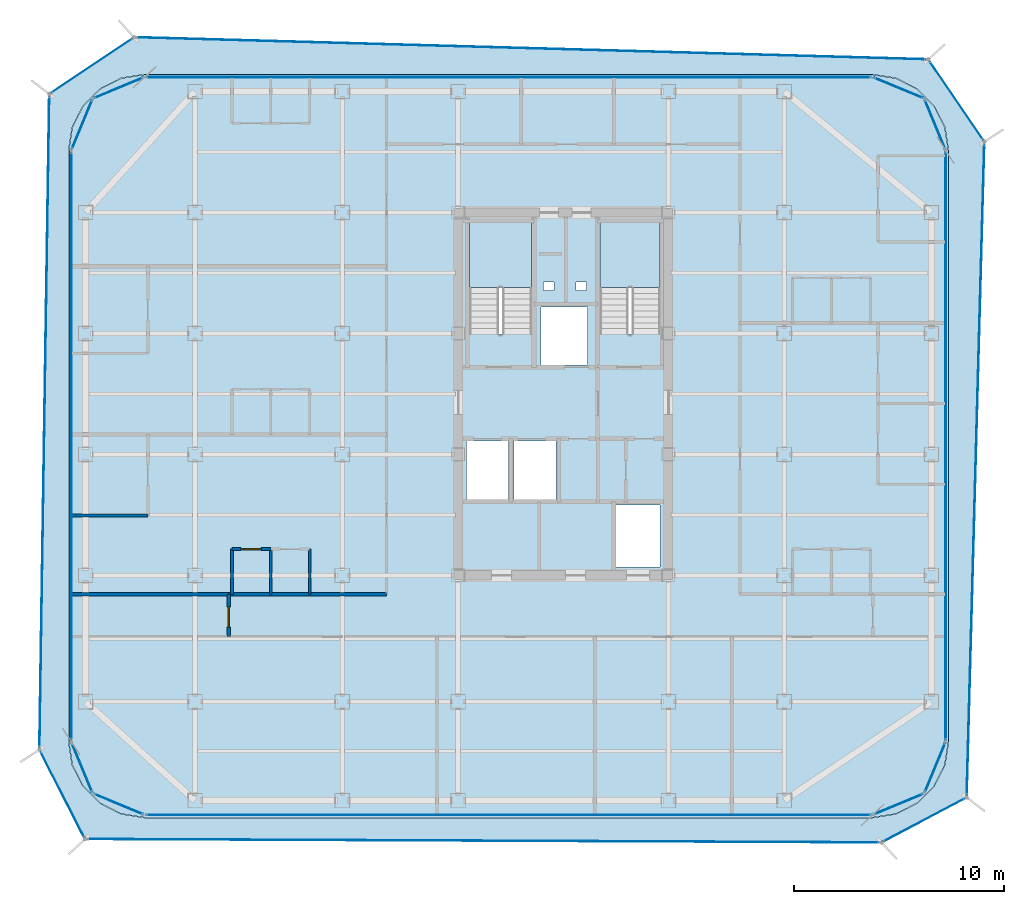
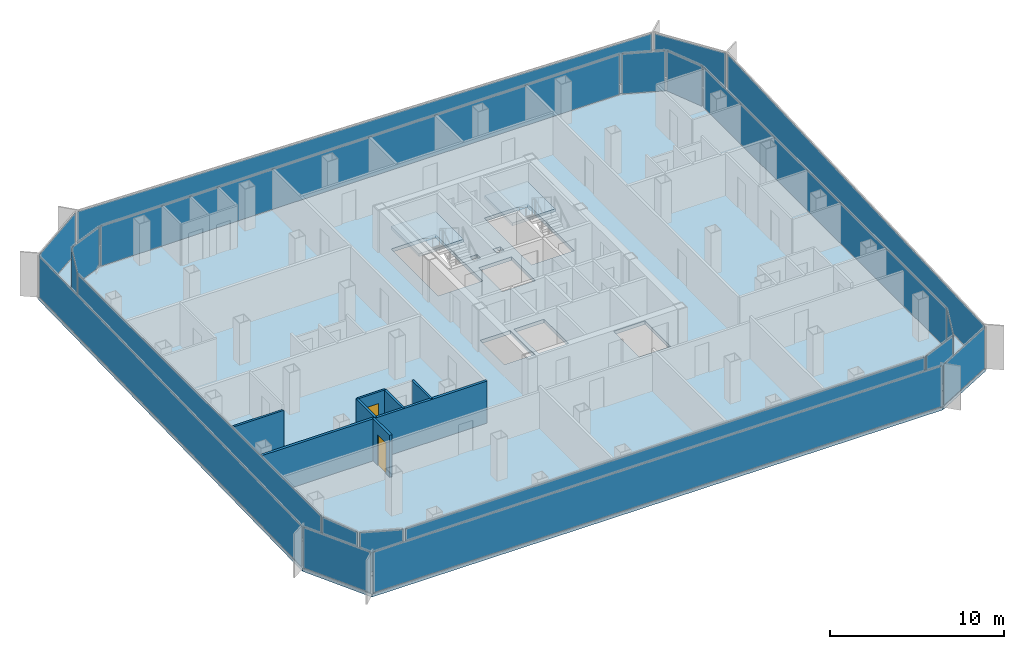
# One storey, part 9 of 15: 20 plates, 8 walls, 4 slabs, 2 doors, 2 openings, 22 elements without a shape of their own.
"""IFC4 building model written with IfcOpenShell, lengths in metres."""

from ifc_helpers import new_model, si_unit, direction, frame, frame_2d, origin, origin_2d, place, context, subcontext, project, spatial, polyline, rectangle, outline, extrude, source, transform, mapped, material, layer, layer_set, type_object, element, fill, aggregate, save


model = new_model("IFC4")

# Units and contexts
model_context = context("Model", 3, precision=1e-05, world=origin(), true_north=direction((0.0, 1.0)))
body_context = subcontext(model_context, "Body", "Model", "MODEL_VIEW")
ifc_project = project(units=[si_unit("LENGTHUNIT", "METRE"), si_unit("AREAUNIT", "SQUARE_METRE"), si_unit("VOLUMEUNIT", "CUBIC_METRE"), si_unit("PLANEANGLEUNIT", "RADIAN"), si_unit("MASSUNIT", "GRAM", prefix="KILO")], contexts=[model_context])

# Site, building, storey
site_placement = place(None, origin())
site = spatial("IfcSite", under=ifc_project, at=site_placement, CompositionType="ELEMENT")
building_placement = place(site_placement, origin())
building = spatial("IfcBuilding", under=site, at=building_placement, Name="Kolveth Station Tower", CompositionType="ELEMENT")
storey_placement = place(building_placement, frame((0.0, 0.0, 193.199951171875)))
storey = spatial("IfcBuildingStorey", under=building, at=storey_placement, Name="L54", CompositionType="ELEMENT", Elevation=193.199951171875)

# Slab
ifc_material_1 = material(Name="Concrete C40/50", Category="concrete")
ifc_layer_1 = layer(ifc_material_1, 0.25)
ifc_layer_set_1 = layer_set([ifc_layer_1], Name="Concrete C40/50")
slab_type_1 = type_object("IfcSlabType", Name="Slab_SF-250", PredefinedType="FLOOR", material=ifc_layer_set_1)
slab_1_placement = place(storey_placement, frame((0.0, 0.0, -0.25)))
element("IfcSlab", 1, at=slab_1_placement, inside=storey, type_object=slab_type_1, Name="L54 Tower Structural Floor Slab", PredefinedType="FLOOR", context=body_context, shape_type="SweptSolid", body=[
    extrude(outline(polyline([(38.199951171875, 0.0), (39.3125, 0.17626953125), (40.31591796875, 0.6875), (41.112548828125, 1.48388671875), (41.623779296875, 2.487548828125), (41.800048828125, 3.60009765625), (41.800048828125, 31.699951171875), (41.623779296875, 32.8125), (41.112548828125, 33.81591796875), (40.31591796875, 34.612548828125), (39.3125, 35.123779296875), (38.199951171875, 35.300048828125), (3.60009765625, 35.300048828125), (2.487548828125, 35.123779296875), (1.48388671875, 34.612548828125), (0.6875, 33.81591796875), (0.17626953125, 32.8125), (0.0, 31.699951171875), (0.0, 3.60009765625), (0.17626953125, 2.487548828125), (0.6875, 1.48388671875), (1.48388671875, 0.6875), (2.487548828125, 0.17626953125), (3.60009765625, 0.0), (38.199951171875, 0.0)]), holes=[polyline([(19.0400390625, 22.985107421875), (22.0, 22.985107421875), (22.0, 28.39990234375), (19.0400390625, 28.39990234375), (19.0400390625, 22.985107421875)]), polyline([(25.239990234375, 22.985107421875), (28.10009765625, 22.985107421875), (28.10009765625, 28.39990234375), (25.239990234375, 28.39990234375), (25.239990234375, 22.985107421875)]), polyline([(18.89990234375, 15.10009765625), (20.89990234375, 15.10009765625), (20.89990234375, 17.89990234375), (18.89990234375, 17.89990234375), (18.89990234375, 15.10009765625)]), polyline([(21.14990234375, 15.10009765625), (23.14990234375, 15.10009765625), (23.14990234375, 17.89990234375), (21.14990234375, 17.89990234375), (21.14990234375, 15.10009765625)]), polyline([(22.449951171875, 21.5), (24.64990234375, 21.5), (24.64990234375, 24.25), (22.449951171875, 24.25), (22.449951171875, 21.5)]), polyline([(26.0, 11.89990234375), (28.10009765625, 11.89990234375), (28.10009765625, 14.85009765625), (26.0, 14.85009765625), (26.0, 11.89990234375)]), polyline([(22.550048828125, 25.050048828125), (23.050048828125, 25.050048828125), (23.050048828125, 25.449951171875), (22.550048828125, 25.449951171875), (22.550048828125, 25.050048828125)]), polyline([(24.10009765625, 25.050048828125), (24.60009765625, 25.050048828125), (24.60009765625, 25.449951171875), (24.10009765625, 25.449951171875), (24.10009765625, 25.050048828125)])]), origin(), (0.0, 0.0, 1.0), 0.25),
])

# Stair, slab
stair_type_1 = type_object("IfcStairType", Name="Stair_ST2", PredefinedType="HALF_TURN_STAIR", material=ifc_material_1)
stair_1_placement = place(storey_placement, origin())
stair_1 = element("IfcStair", 2, at=stair_1_placement, inside=storey, type_object=stair_type_1, Name="L54 Tower Exit Stair ST2", PredefinedType="HALF_TURN_STAIR")
ifc_layer_2 = layer(ifc_material_1, 0.18994140625)
ifc_layer_set_2 = layer_set([ifc_layer_2], Name="Concrete C40/50")
slab_type_2 = type_object("IfcSlabType", Name="Slab_SL-190", PredefinedType="LANDING", material=ifc_layer_set_2)
slab_2_placement = place(storey_placement, frame((0.0, 0.0, 1.400146484375)))
slab_2 = element("IfcSlab", 3, at=slab_2_placement, type_object=slab_type_2, Name="ST2 landing 1", PredefinedType="LANDING", context=body_context, shape_type="SweptSolid", body=[
    extrude(outline(polyline([(28.10009765625, 25.18994140625), (28.10009765625, 28.39990234375), (25.239990234375, 28.39990234375), (25.239990234375, 25.18994140625), (28.10009765625, 25.18994140625)])), origin(), (0.0, 0.0, 1.0), 0.199951171875),
])
aggregate(stair_1, [slab_2])

stair_type_2 = type_object("IfcStairType", Name="Stair_ST1", PredefinedType="HALF_TURN_STAIR", material=ifc_material_1)
stair_2_placement = place(storey_placement, origin())
stair_2 = element("IfcStair", 4, at=stair_2_placement, inside=storey, type_object=stair_type_2, Name="L54 Tower Exit Stair ST1", PredefinedType="HALF_TURN_STAIR")
ifc_layer_3 = layer(ifc_material_1, 0.205078125)
ifc_layer_set_3 = layer_set([ifc_layer_3], Name="Concrete C40/50")
slab_type_3 = type_object("IfcSlabType", Name="Slab_SL-205", PredefinedType="LANDING", material=ifc_layer_set_3)
slab_3_placement = place(storey_placement, frame((0.0, 0.0, 1.400146484375)))
slab_3 = element("IfcSlab", 5, at=slab_3_placement, type_object=slab_type_3, Name="ST1 landing 1", PredefinedType="LANDING", context=body_context, shape_type="SweptSolid", body=[
    extrude(outline(polyline([(22.0, 25.18994140625), (22.0, 28.39990234375), (19.0400390625, 28.39990234375), (19.0400390625, 25.18994140625), (22.0, 25.18994140625)])), origin(), (0.0, 0.0, 1.0), 0.199951171875),
])
aggregate(stair_2, [slab_3])

# Slab
ifc_layer_4 = layer(ifc_material_1, 0.2099609375)
ifc_layer_set_4 = layer_set([ifc_layer_4], Name="Concrete C40/50")
slab_type_4 = type_object("IfcSlabType", Name="Slab_ST-210", PredefinedType="FLOOR", material=ifc_layer_set_4)
slab_4_placement = place(storey_placement, frame((0.0, 0.0, -0.2099609375)))
element("IfcSlab", 6, at=slab_4_placement, inside=storey, type_object=slab_type_4, Name="L54 Double-Skin Cavity Structural Ledger Ring", PredefinedType="FLOOR", context=body_context, shape_type="SweptSolid", body=[
    extrude(outline(polyline([(0.77490234375, -1.0283203125), (-1.3916015625, 3.221923828125), (-0.922607421875, 34.378662109375), (3.10595703125, 37.07568359375), (40.85205078125, 36.02490234375), (43.515625, 32.118408203125), (42.67529296875, 0.948486328125), (38.6220703125, -1.191162109375), (0.77490234375, -1.0283203125)]), holes=[polyline([(38.202392578125, -0.014892578125), (39.314697265625, 0.161376953125), (39.3193359375, 0.162841796875), (40.32275390625, 0.674072265625), (40.32666015625, 0.677001953125), (41.123046875, 1.473388671875), (41.1259765625, 1.477294921875), (41.63720703125, 2.480712890625), (41.638671875, 2.485107421875), (41.814697265625, 3.59765625), (41.81494140625, 3.60009765625), (41.81494140625, 31.699951171875), (41.814697265625, 31.702392578125), (41.638671875, 32.814697265625), (41.63720703125, 32.8193359375), (41.1259765625, 33.82275390625), (41.123046875, 33.82666015625), (40.32666015625, 34.623046875), (40.32275390625, 34.6259765625), (39.3193359375, 35.13720703125), (39.314697265625, 35.138671875), (38.202392578125, 35.314697265625), (38.199951171875, 35.31494140625), (3.60009765625, 35.31494140625), (3.59765625, 35.314697265625), (2.485107421875, 35.138671875), (2.480712890625, 35.13720703125), (1.477294921875, 34.6259765625), (1.473388671875, 34.623046875), (0.677001953125, 33.82666015625), (0.674072265625, 33.82275390625), (0.162841796875, 32.8193359375), (0.161376953125, 32.814697265625), (-0.014892578125, 31.702392578125), (-0.014892578125, 31.699951171875), (-0.014892578125, 3.60009765625), (-0.014892578125, 3.59765625), (0.161376953125, 2.485107421875), (0.162841796875, 2.480712890625), (0.674072265625, 1.477294921875), (0.677001953125, 1.473388671875), (1.473388671875, 0.677001953125), (1.477294921875, 0.674072265625), (2.480712890625, 0.162841796875), (2.485107421875, 0.161376953125), (3.59765625, -0.014892578125), (3.60009765625, -0.014892578125), (38.199951171875, -0.014892578125), (38.202392578125, -0.014892578125)])]), origin(), (0.0, 0.0, 1.0), 0.2099609375),
])

# Curtain wall, plate
ifc_material_2 = material(Name="Aluminium 6063-T6 and low-E dark glass", Category="aluminium")
ifc_layer_5 = layer(ifc_material_2, 0.18994140625)
ifc_layer_set_5 = layer_set([ifc_layer_5], Name="Aluminium 6063-T6 and low-E dark glass")
curtain_wall_type_1 = type_object("IfcCurtainWallType", Name="CurtainWall_CW-Z2", PredefinedType="NOTDEFINED", material=ifc_layer_set_5)
curtain_wall_1_placement = place(storey_placement, origin())
curtain_wall_1 = element("IfcCurtainWall", 7, at=curtain_wall_1_placement, inside=storey, type_object=curtain_wall_type_1, Name="L54 Inner Thermal Curtain Wall 1", PredefinedType="NOTDEFINED")
ifc_material_3 = material(Name="Architectural low-E dark glass", Category="glass")
ifc_layer_6 = layer(ifc_material_3, 0.0380859375)
ifc_layer_set_6 = layer_set([ifc_layer_6], Name="Architectural low-E dark glass")
plate_type_1 = type_object("IfcPlateType", Name="Panel_GL2", PredefinedType="CURTAIN_PANEL", material=ifc_layer_set_6)
shared_shape_1 = source(origin(), body_context, "Body", "SweptSolid", [
    extrude(rectangle(XDim=2.517578125, YDim=0.0380859375, at=origin_2d()), origin(), (0.0, 0.0, 1.0), 2.803955078125),
])
plate_1_placement = place(storey_placement, frame((39.430419921875, 0.629638671875, 0.0732421875), z_axis=(0.0, 0.0, 1.0), x_axis=(0.923873600544, 0.382697753087, 0.0)))
plate_1 = element("IfcPlate", 8, at=plate_1_placement, type_object=plate_type_1, Name="CW-Z2 panel 1.1", PredefinedType="CURTAIN_PANEL", context=body_context, shape_type="MappedRepresentation", body=[
    mapped(shared_shape_1, transform((0.0, 0.0, 0.0), x_axis=(1.0, 0.0, 0.0), y_axis=(0.0, 1.0, 0.0), z_axis=(0.0, 0.0, 1.0), scale=1.0)),
])
aggregate(curtain_wall_1, [plate_1])

curtain_wall_2_placement = place(storey_placement, origin())
curtain_wall_2 = element("IfcCurtainWall", 9, at=curtain_wall_2_placement, inside=storey, type_object=curtain_wall_type_1, Name="L54 Inner Thermal Curtain Wall 2", PredefinedType="NOTDEFINED")
plate_2_placement = place(storey_placement, frame((41.17041015625, 2.36962890625, 0.0732421875), z_axis=(0.0, 0.0, 1.0), x_axis=(0.382697753087, 0.923873600544, 0.0)))
plate_2 = element("IfcPlate", 10, at=plate_2_placement, type_object=plate_type_1, Name="CW-Z2 panel 1.1", PredefinedType="CURTAIN_PANEL", context=body_context, shape_type="MappedRepresentation", body=[
    mapped(shared_shape_1, transform((0.0, 0.0, 0.0), x_axis=(1.0, 0.0, 0.0), y_axis=(0.0, 1.0, 0.0), z_axis=(0.0, 0.0, 1.0), scale=1.0)),
])
aggregate(curtain_wall_2, [plate_2])

curtain_wall_3_placement = place(storey_placement, origin())
curtain_wall_3 = element("IfcCurtainWall", 11, at=curtain_wall_3_placement, inside=storey, type_object=curtain_wall_type_1, Name="L54 Inner Thermal Curtain Wall 4", PredefinedType="NOTDEFINED")
plate_3_placement = place(storey_placement, frame((41.17041015625, 32.930419921875, 0.0732421875), z_axis=(0.0, 0.0, 1.0), x_axis=(-0.382697753087, 0.923873600544, 0.0)))
plate_3 = element("IfcPlate", 12, at=plate_3_placement, type_object=plate_type_1, Name="CW-Z2 panel 1.1", PredefinedType="CURTAIN_PANEL", context=body_context, shape_type="MappedRepresentation", body=[
    mapped(shared_shape_1, transform((0.0, 0.0, 0.0), x_axis=(1.0, 0.0, 0.0), y_axis=(0.0, 1.0, 0.0), z_axis=(0.0, 0.0, 1.0), scale=1.0)),
])
aggregate(curtain_wall_3, [plate_3])

curtain_wall_4_placement = place(storey_placement, origin())
curtain_wall_4 = element("IfcCurtainWall", 13, at=curtain_wall_4_placement, inside=storey, type_object=curtain_wall_type_1, Name="L54 Inner Thermal Curtain Wall 5", PredefinedType="NOTDEFINED")
plate_4_placement = place(storey_placement, frame((39.430419921875, 34.67041015625, 0.0732421875), z_axis=(0.0, 0.0, 1.0), x_axis=(-0.923873600544, 0.382697753087, 0.0)))
plate_4 = element("IfcPlate", 14, at=plate_4_placement, type_object=plate_type_1, Name="CW-Z2 panel 1.1", PredefinedType="CURTAIN_PANEL", context=body_context, shape_type="MappedRepresentation", body=[
    mapped(shared_shape_1, transform((0.0, 0.0, 0.0), x_axis=(1.0, 0.0, 0.0), y_axis=(0.0, 1.0, 0.0), z_axis=(0.0, 0.0, 1.0), scale=1.0)),
])
aggregate(curtain_wall_4, [plate_4])

curtain_wall_5_placement = place(storey_placement, origin())
curtain_wall_5 = element("IfcCurtainWall", 15, at=curtain_wall_5_placement, inside=storey, type_object=curtain_wall_type_1, Name="L54 Inner Thermal Curtain Wall 7", PredefinedType="NOTDEFINED")
plate_5_placement = place(storey_placement, frame((2.36962890625, 34.67041015625, 0.0732421875), z_axis=(0.0, 0.0, 1.0), x_axis=(-0.923873600544, -0.382697753087, 0.0)))
plate_5 = element("IfcPlate", 16, at=plate_5_placement, type_object=plate_type_1, Name="CW-Z2 panel 1.1", PredefinedType="CURTAIN_PANEL", context=body_context, shape_type="MappedRepresentation", body=[
    mapped(shared_shape_1, transform((0.0, 0.0, 0.0), x_axis=(1.0, 0.0, 0.0), y_axis=(0.0, 1.0, 0.0), z_axis=(0.0, 0.0, 1.0), scale=1.0)),
])
aggregate(curtain_wall_5, [plate_5])

curtain_wall_6_placement = place(storey_placement, origin())
curtain_wall_6 = element("IfcCurtainWall", 17, at=curtain_wall_6_placement, inside=storey, type_object=curtain_wall_type_1, Name="L54 Inner Thermal Curtain Wall 8", PredefinedType="NOTDEFINED")
plate_6_placement = place(storey_placement, frame((0.629638671875, 32.930419921875, 0.0732421875), z_axis=(0.0, 0.0, 1.0), x_axis=(-0.382697753087, -0.923873600544, 0.0)))
plate_6 = element("IfcPlate", 18, at=plate_6_placement, type_object=plate_type_1, Name="CW-Z2 panel 1.1", PredefinedType="CURTAIN_PANEL", context=body_context, shape_type="MappedRepresentation", body=[
    mapped(shared_shape_1, transform((0.0, 0.0, 0.0), x_axis=(1.0, 0.0, 0.0), y_axis=(0.0, 1.0, 0.0), z_axis=(0.0, 0.0, 1.0), scale=1.0)),
])
aggregate(curtain_wall_6, [plate_6])

curtain_wall_7_placement = place(storey_placement, origin())
curtain_wall_7 = element("IfcCurtainWall", 19, at=curtain_wall_7_placement, inside=storey, type_object=curtain_wall_type_1, Name="L54 Inner Thermal Curtain Wall 10", PredefinedType="NOTDEFINED")
plate_7_placement = place(storey_placement, frame((0.629638671875, 2.36962890625, 0.0732421875), z_axis=(0.0, 0.0, 1.0), x_axis=(0.382697753087, -0.923873600544, 0.0)))
plate_7 = element("IfcPlate", 20, at=plate_7_placement, type_object=plate_type_1, Name="CW-Z2 panel 1.1", PredefinedType="CURTAIN_PANEL", context=body_context, shape_type="MappedRepresentation", body=[
    mapped(shared_shape_1, transform((0.0, 0.0, 0.0), x_axis=(1.0, 0.0, 0.0), y_axis=(0.0, 1.0, 0.0), z_axis=(0.0, 0.0, 1.0), scale=1.0)),
])
aggregate(curtain_wall_7, [plate_7])

curtain_wall_8_placement = place(storey_placement, origin())
curtain_wall_8 = element("IfcCurtainWall", 21, at=curtain_wall_8_placement, inside=storey, type_object=curtain_wall_type_1, Name="L54 Inner Thermal Curtain Wall 11", PredefinedType="NOTDEFINED")
plate_8_placement = place(storey_placement, frame((2.36962890625, 0.629638671875, 0.0732421875), z_axis=(0.0, 0.0, 1.0), x_axis=(0.923873600544, -0.382697753087, 0.0)))
plate_8 = element("IfcPlate", 22, at=plate_8_placement, type_object=plate_type_1, Name="CW-Z2 panel 1.1", PredefinedType="CURTAIN_PANEL", context=body_context, shape_type="MappedRepresentation", body=[
    mapped(shared_shape_1, transform((0.0, 0.0, 0.0), x_axis=(1.0, 0.0, 0.0), y_axis=(0.0, 1.0, 0.0), z_axis=(0.0, 0.0, 1.0), scale=1.0)),
])
aggregate(curtain_wall_8, [plate_8])

curtain_wall_9_placement = place(storey_placement, origin())
curtain_wall_9 = element("IfcCurtainWall", 23, at=curtain_wall_9_placement, inside=storey, type_object=curtain_wall_type_1, Name="L54 Inner Thermal Curtain Wall 3", PredefinedType="NOTDEFINED")
shared_shape_2 = source(origin(), body_context, "Body", "SweptSolid", [
    extrude(rectangle(XDim=27.9541015625, YDim=0.0380859375, at=origin_2d()), origin(), (0.0, 0.0, 1.0), 2.803955078125),
])
plate_9_placement = place(storey_placement, frame((41.679931640625, 17.64990234375, 0.0732421875), z_axis=(0.0, 0.0, 1.0), x_axis=(0.0, 1.0, 0.0)))
plate_9 = element("IfcPlate", 24, at=plate_9_placement, type_object=plate_type_1, Name="CW-Z2 panel 1.1", PredefinedType="CURTAIN_PANEL", context=body_context, shape_type="MappedRepresentation", body=[
    mapped(shared_shape_2, transform((0.0, 0.0, 0.0), x_axis=(1.0, 0.0, 0.0), y_axis=(0.0, 1.0, 0.0), z_axis=(0.0, 0.0, 1.0), scale=1.0)),
])
aggregate(curtain_wall_9, [plate_9])

curtain_wall_10_placement = place(storey_placement, origin())
curtain_wall_10 = element("IfcCurtainWall", 25, at=curtain_wall_10_placement, inside=storey, type_object=curtain_wall_type_1, Name="L54 Inner Thermal Curtain Wall 9", PredefinedType="NOTDEFINED")
plate_10_placement = place(storey_placement, frame((0.1201171875, 17.64990234375, 0.0732421875), z_axis=(0.0, 0.0, 1.0), x_axis=(0.0, -1.0, 0.0)))
plate_10 = element("IfcPlate", 26, at=plate_10_placement, type_object=plate_type_1, Name="CW-Z2 panel 1.1", PredefinedType="CURTAIN_PANEL", context=body_context, shape_type="MappedRepresentation", body=[
    mapped(shared_shape_2, transform((0.0, 0.0, 0.0), x_axis=(1.0, 0.0, 0.0), y_axis=(0.0, 1.0, 0.0), z_axis=(0.0, 0.0, 1.0), scale=1.0)),
])
aggregate(curtain_wall_10, [plate_10])

curtain_wall_11_placement = place(storey_placement, origin())
curtain_wall_11 = element("IfcCurtainWall", 27, at=curtain_wall_11_placement, inside=storey, type_object=curtain_wall_type_1, Name="L54 Inner Thermal Curtain Wall 6", PredefinedType="NOTDEFINED")
shared_shape_3 = source(origin(), body_context, "Body", "SweptSolid", [
    extrude(rectangle(XDim=34.4541015625, YDim=0.0380859375, at=origin_2d()), origin(), (0.0, 0.0, 1.0), 2.803955078125),
])
plate_11_placement = place(storey_placement, frame((20.89990234375, 35.179931640625, 0.0732421875), z_axis=(0.0, 0.0, 1.0), x_axis=(-1.0, 0.0, 0.0)))
plate_11 = element("IfcPlate", 28, at=plate_11_placement, type_object=plate_type_1, Name="CW-Z2 panel 1.1", PredefinedType="CURTAIN_PANEL", context=body_context, shape_type="MappedRepresentation", body=[
    mapped(shared_shape_3, transform((0.0, 0.0, 0.0), x_axis=(1.0, 0.0, 0.0), y_axis=(0.0, 1.0, 0.0), z_axis=(0.0, 0.0, 1.0), scale=1.0)),
])
aggregate(curtain_wall_11, [plate_11])

curtain_wall_12_placement = place(storey_placement, origin())
curtain_wall_12 = element("IfcCurtainWall", 29, at=curtain_wall_12_placement, inside=storey, type_object=curtain_wall_type_1, Name="L54 Inner Thermal Curtain Wall 12", PredefinedType="NOTDEFINED")
plate_12_placement = place(storey_placement, frame((20.89990234375, 0.1201171875, 0.0732421875), z_axis=(0.0, 0.0, 1.0), x_axis=(1.0, 0.0, 0.0)))
plate_12 = element("IfcPlate", 30, at=plate_12_placement, type_object=plate_type_1, Name="CW-Z2 panel 1.1", PredefinedType="CURTAIN_PANEL", context=body_context, shape_type="MappedRepresentation", body=[
    mapped(shared_shape_3, transform((0.0, 0.0, 0.0), x_axis=(1.0, 0.0, 0.0), y_axis=(0.0, 1.0, 0.0), z_axis=(0.0, 0.0, 1.0), scale=1.0)),
])
aggregate(curtain_wall_12, [plate_12])

ifc_material_4 = material(Name="Black anodized aluminium 6063-T6 and dark solar glass", Category="aluminium")
ifc_layer_7 = layer(ifc_material_4, 0.159912109375)
ifc_layer_set_7 = layer_set([ifc_layer_7], Name="Black anodized aluminium 6063-T6 and dark solar glass")
curtain_wall_type_2 = type_object("IfcCurtainWallType", Name="OUTER SKIN CW-OS", PredefinedType="NOTDEFINED", material=ifc_layer_set_7)
curtain_wall_13_placement = place(storey_placement, origin())
curtain_wall_13 = element("IfcCurtainWall", 31, at=curtain_wall_13_placement, inside=storey, type_object=curtain_wall_type_2, Name="L54 Outer Ventilated Skin Curtain Wall 1", PredefinedType="NOTDEFINED")
ifc_layer_8 = layer(ifc_material_3, 0.028076171875)
ifc_layer_set_8 = layer_set([ifc_layer_8], Name="Architectural low-E dark glass")
plate_type_2 = type_object("IfcPlateType", Name="Panel_GL-OS", PredefinedType="CURTAIN_PANEL", material=ifc_layer_set_8)
shared_shape_4 = source(origin(), body_context, "Body", "SweptSolid", [
    extrude(rectangle(XDim=4.41748046875, YDim=0.028076171875, at=origin_2d()), origin(), (0.0, 0.0, 1.0), 2.843994140625),
])
plate_13_placement = place(storey_placement, frame((40.648681640625, -0.121337890625, 0.0732421875), z_axis=(0.0, 0.0, 1.0), x_axis=(0.884366239208, 0.466793696347, 0.0)))
plate_13 = element("IfcPlate", 32, at=plate_13_placement, type_object=plate_type_2, Name="CW-OS panel 1.1", PredefinedType="CURTAIN_PANEL", context=body_context, shape_type="MappedRepresentation", body=[
    mapped(shared_shape_4, transform((0.0, 0.0, 0.0), x_axis=(1.0, 0.0, 0.0), y_axis=(0.0, 1.0, 0.0), z_axis=(0.0, 0.0, 1.0), scale=1.0)),
])
aggregate(curtain_wall_13, [plate_13])

curtain_wall_14_placement = place(storey_placement, origin())
curtain_wall_14 = element("IfcCurtainWall", 33, at=curtain_wall_14_placement, inside=storey, type_object=curtain_wall_type_2, Name="L54 Outer Ventilated Skin Curtain Wall 2", PredefinedType="NOTDEFINED")
shared_shape_5 = source(origin(), body_context, "Body", "SweptSolid", [
    extrude(rectangle(XDim=31.015380859375, YDim=0.028076171875, at=origin_2d()), origin(), (0.0, 0.0, 1.0), 2.843994140625),
])
plate_14_placement = place(storey_placement, frame((43.095458984375, 16.533447265625, 0.0732421875), z_axis=(0.0, 0.0, 1.0), x_axis=(0.026945531966, 0.999636903234, 0.0)))
plate_14 = element("IfcPlate", 34, at=plate_14_placement, type_object=plate_type_2, Name="CW-OS panel 1.1", PredefinedType="CURTAIN_PANEL", context=body_context, shape_type="MappedRepresentation", body=[
    mapped(shared_shape_5, transform((0.0, 0.0, 0.0), x_axis=(1.0, 0.0, 0.0), y_axis=(0.0, 1.0, 0.0), z_axis=(0.0, 0.0, 1.0), scale=1.0)),
])
aggregate(curtain_wall_14, [plate_14])

curtain_wall_15_placement = place(storey_placement, origin())
curtain_wall_15 = element("IfcCurtainWall", 35, at=curtain_wall_15_placement, inside=storey, type_object=curtain_wall_type_2, Name="L54 Outer Ventilated Skin Curtain Wall 3", PredefinedType="NOTDEFINED")
shared_shape_6 = source(origin(), body_context, "Body", "SweptSolid", [
    extrude(rectangle(XDim=4.56201171875, YDim=0.028076171875, at=origin_2d()), origin(), (0.0, 0.0, 1.0), 2.843994140625),
])
plate_15_placement = place(storey_placement, frame((42.183837890625, 34.07177734375, 0.0732421875), z_axis=(0.0, 0.0, 1.0), x_axis=(-0.563333543232, 0.826229580123, 0.0)))
plate_15 = element("IfcPlate", 36, at=plate_15_placement, type_object=plate_type_2, Name="CW-OS panel 1.1", PredefinedType="CURTAIN_PANEL", context=body_context, shape_type="MappedRepresentation", body=[
    mapped(shared_shape_6, transform((0.0, 0.0, 0.0), x_axis=(1.0, 0.0, 0.0), y_axis=(0.0, 1.0, 0.0), z_axis=(0.0, 0.0, 1.0), scale=1.0)),
])
aggregate(curtain_wall_15, [plate_15])

curtain_wall_16_placement = place(storey_placement, origin())
curtain_wall_16 = element("IfcCurtainWall", 37, at=curtain_wall_16_placement, inside=storey, type_object=curtain_wall_type_2, Name="L54 Outer Ventilated Skin Curtain Wall 4", PredefinedType="NOTDEFINED")
shared_shape_7 = source(origin(), body_context, "Body", "SweptSolid", [
    extrude(rectangle(XDim=37.5947265625, YDim=0.028076171875, at=origin_2d()), origin(), (0.0, 0.0, 1.0), 2.843994140625),
])
plate_16_placement = place(storey_placement, frame((21.97900390625, 36.55029296875, 0.0732421875), z_axis=(0.0, 0.0, 1.0), x_axis=(-0.99961287958, 0.027822490511, 0.0)))
plate_16 = element("IfcPlate", 38, at=plate_16_placement, type_object=plate_type_2, Name="CW-OS panel 1.1", PredefinedType="CURTAIN_PANEL", context=body_context, shape_type="MappedRepresentation", body=[
    mapped(shared_shape_7, transform((0.0, 0.0, 0.0), x_axis=(1.0, 0.0, 0.0), y_axis=(0.0, 1.0, 0.0), z_axis=(0.0, 0.0, 1.0), scale=1.0)),
])
aggregate(curtain_wall_16, [plate_16])

curtain_wall_17_placement = place(storey_placement, origin())
curtain_wall_17 = element("IfcCurtainWall", 39, at=curtain_wall_17_placement, inside=storey, type_object=curtain_wall_type_2, Name="L54 Outer Ventilated Skin Curtain Wall 5", PredefinedType="NOTDEFINED")
shared_shape_8 = source(origin(), body_context, "Body", "SweptSolid", [
    extrude(rectangle(XDim=4.681884765625, YDim=0.028076171875, at=origin_2d()), origin(), (0.0, 0.0, 1.0), 2.843994140625),
])
plate_17_placement = place(storey_placement, frame((1.091796875, 35.72705078125, 0.0732421875), z_axis=(0.0, 0.0, 1.0), x_axis=(-0.830972906954, -0.556312886699, 0.0)))
plate_17 = element("IfcPlate", 40, at=plate_17_placement, type_object=plate_type_2, Name="CW-OS panel 1.1", PredefinedType="CURTAIN_PANEL", context=body_context, shape_type="MappedRepresentation", body=[
    mapped(shared_shape_8, transform((0.0, 0.0, 0.0), x_axis=(1.0, 0.0, 0.0), y_axis=(0.0, 1.0, 0.0), z_axis=(0.0, 0.0, 1.0), scale=1.0)),
])
aggregate(curtain_wall_17, [plate_17])

curtain_wall_18_placement = place(storey_placement, origin())
curtain_wall_18 = element("IfcCurtainWall", 41, at=curtain_wall_18_placement, inside=storey, type_object=curtain_wall_type_2, Name="L54 Outer Ventilated Skin Curtain Wall 6", PredefinedType="NOTDEFINED")
shared_shape_9 = source(origin(), body_context, "Body", "SweptSolid", [
    extrude(rectangle(XDim=30.994140625, YDim=0.028076171875, at=origin_2d()), origin(), (0.0, 0.0, 1.0), 2.843994140625),
])
plate_18_placement = place(storey_placement, frame((-1.156982421875, 18.80029296875, 0.0732421875), z_axis=(0.0, 0.0, 1.0), x_axis=(-0.015057653898, -0.999886627103, 0.0)))
plate_18 = element("IfcPlate", 42, at=plate_18_placement, type_object=plate_type_2, Name="CW-OS panel 1.1", PredefinedType="CURTAIN_PANEL", context=body_context, shape_type="MappedRepresentation", body=[
    mapped(shared_shape_9, transform((0.0, 0.0, 0.0), x_axis=(1.0, 0.0, 0.0), y_axis=(0.0, 1.0, 0.0), z_axis=(0.0, 0.0, 1.0), scale=1.0)),
])
aggregate(curtain_wall_18, [plate_18])

curtain_wall_19_placement = place(storey_placement, origin())
curtain_wall_19 = element("IfcCurtainWall", 43, at=curtain_wall_19_placement, inside=storey, type_object=curtain_wall_type_2, Name="L54 Outer Ventilated Skin Curtain Wall 7", PredefinedType="NOTDEFINED")
shared_shape_10 = source(origin(), body_context, "Body", "SweptSolid", [
    extrude(rectangle(XDim=4.6044921875, YDim=0.028076171875, at=origin_2d()), origin(), (0.0, 0.0, 1.0), 2.843994140625),
])
plate_19_placement = place(storey_placement, frame((-0.308349609375, 1.096923828125, 0.0732421875), z_axis=(0.0, 0.0, 1.0), x_axis=(0.454159391479, -0.890920449385, 0.0)))
plate_19 = element("IfcPlate", 44, at=plate_19_placement, type_object=plate_type_2, Name="CW-OS panel 1.1", PredefinedType="CURTAIN_PANEL", context=body_context, shape_type="MappedRepresentation", body=[
    mapped(shared_shape_10, transform((0.0, 0.0, 0.0), x_axis=(1.0, 0.0, 0.0), y_axis=(0.0, 1.0, 0.0), z_axis=(0.0, 0.0, 1.0), scale=1.0)),
])
aggregate(curtain_wall_19, [plate_19])

curtain_wall_20_placement = place(storey_placement, origin())
curtain_wall_20 = element("IfcCurtainWall", 45, at=curtain_wall_20_placement, inside=storey, type_object=curtain_wall_type_2, Name="L54 Outer Ventilated Skin Curtain Wall 8", PredefinedType="NOTDEFINED")
shared_shape_11 = source(origin(), body_context, "Body", "SweptSolid", [
    extrude(rectangle(XDim=37.681396484375, YDim=0.028076171875, at=origin_2d()), origin(), (0.0, 0.0, 1.0), 2.843994140625),
])
plate_20_placement = place(storey_placement, frame((19.698486328125, -1.109619140625, 0.0732421875), z_axis=(0.0, 0.0, 1.0), x_axis=(0.999990737229, -0.004304120821, 0.0)))
plate_20 = element("IfcPlate", 46, at=plate_20_placement, type_object=plate_type_2, Name="CW-OS panel 1.1", PredefinedType="CURTAIN_PANEL", context=body_context, shape_type="MappedRepresentation", body=[
    mapped(shared_shape_11, transform((0.0, 0.0, 0.0), x_axis=(1.0, 0.0, 0.0), y_axis=(0.0, 1.0, 0.0), z_axis=(0.0, 0.0, 1.0), scale=1.0)),
])
aggregate(curtain_wall_20, [plate_20])

# Wall, opening, door
ifc_material_5 = material(Name="Moisture-resistant gypsum partition")
ifc_layer_9 = layer(ifc_material_5, 0.135009765625)
ifc_layer_set_9 = layer_set([ifc_layer_9], Name="Moisture-resistant gypsum partition")
wall_type_1 = type_object("IfcWallType", Name="Wall_IW-135", PredefinedType="PARTITIONING", material=ifc_layer_set_9)
wall_1_placement = place(storey_placement, frame((7.75, 12.75, 0.0), z_axis=(0.0, 0.0, 1.0), x_axis=(1.0, 0.0, 0.0)))
wall_1 = element("IfcWall", 47, at=wall_1_placement, inside=storey, type_object=wall_type_1, Name="L54 Partition Wall WL-L54-W1-IBHK", PredefinedType="PARTITIONING", context=body_context, shape_type="SweptSolid", body=[
    extrude(rectangle(XDim=1.85009765625, YDim=0.135009765625, at=frame_2d((0.925048828125, 0.0))), origin(), (0.0, 0.0, 1.0), 2.949951171875),
])
opening_1_placement = place(wall_1_placement, frame((0.445068359375, 0.0, 0.0)))
opening_1 = element("IfcOpeningElement", 48, at=opening_1_placement, cuts=wall_1, Name="Opening ID1", PredefinedType="OPENING", context=body_context, shape_type="SweptSolid", body=[
    extrude(rectangle(XDim=0.949951171875, YDim=2.14990234375, at=frame_2d((0.47509765625, 1.074951171875))), frame((0.0, 0.077392578125, 0.0), z_axis=(0.0, -1.0, 0.0), x_axis=(1.0, 0.0, 0.0)), (0.0, 0.0, 1.0), 0.155029296875),
])
ifc_material_6 = material(Name="Acoustic hardwood leaf and aluminium frame", Category="wood")
door_type = type_object("IfcDoorType", Name="Door_ID1", OperationType="NOTDEFINED", PredefinedType="DOOR", material=ifc_material_6)
door_1_placement = place(opening_1_placement, origin())
door_1 = element("IfcDoor", 49, at=door_1_placement, inside=storey, type_object=door_type, Name="Penthouse Flat L54-W1 Kitchen Door", OperationType="SINGLE_SWING_RIGHT", OverallHeight=2.14990234375, OverallWidth=0.949951171875, PredefinedType="DOOR", context=body_context, shape_type="SweptSolid", body=[
    extrude(rectangle(XDim=0.949951171875, YDim=2.14990234375, at=frame_2d((0.47509765625, 1.074951171875))), frame((0.0, 0.02490234375, 0.0), z_axis=(0.0, -1.0, 0.0), x_axis=(1.0, 0.0, 0.0)), (0.0, 0.0, 1.0), 0.050048828125),
])
fill(opening_1, door_1)

# Walls
for number, where, z_axis, x_axis, name in (
    (50, (7.75, 10.60009765625, 0.0), (0.0, 0.0, 1.0), (0.0, 1.0, 0.0), "L54 Partition Wall WL-L54-W1-IBV0"),
    (51, (9.60009765625, 10.60009765625, 0.0), (0.0, 0.0, 1.0), (0.0, 1.0, 0.0), "L54 Partition Wall WL-L54-W1-IBV1"),
    (52, (11.449951171875, 10.60009765625, 0.0), (0.0, 0.0, 1.0), (0.0, 1.0, 0.0), "L54 Partition Wall WL-L54-W1-IBV2"),
):
    element("IfcWall", number, at=place(storey_placement, frame(where, z_axis=z_axis, x_axis=x_axis)), inside=storey, type_object=wall_type_1, Name=name, PredefinedType="PARTITIONING", context=body_context, shape_type="SweptSolid", body=[
        extrude(rectangle(XDim=2.14990234375, YDim=0.135009765625, at=frame_2d((1.074951171875, 0.0))), origin(), (0.0, 0.0, 1.0), 2.949951171875),
    ])
wall_2_placement = place(storey_placement, frame((0.159912109375, 14.347900390625, 0.0), z_axis=(0.0, 0.0, 1.0), x_axis=(1.0, 0.0, 0.0)))
element("IfcWall", 53, at=wall_2_placement, inside=storey, type_object=wall_type_1, Name="L54 Partition Wall WL-L54-W1-BDH0", PredefinedType="PARTITIONING", context=body_context, shape_type="SweptSolid", body=[
    extrude(rectangle(XDim=3.60009765625, YDim=0.135009765625, at=frame_2d((1.800048828125, 0.0))), origin(), (0.0, 0.0, 1.0), 2.5830078125),
])
ifc_material_7 = material(Name="Acoustic double-stud gypsum partition")
ifc_layer_10 = layer(ifc_material_7, 0.1650390625)
ifc_layer_set_10 = layer_set([ifc_layer_10], Name="Acoustic double-stud gypsum partition")
wall_type_2 = type_object("IfcWallType", Name="Wall_IW-165", PredefinedType="PARTITIONING", material=ifc_layer_set_10)
wall_3_placement = place(storey_placement, frame((7.60009765625, 10.60009765625, 0.0), z_axis=(0.0, 0.0, 1.0), x_axis=(1.0, 0.0, 0.0)))
element("IfcWall", 54, at=wall_3_placement, inside=storey, type_object=wall_type_2, Name="L54 Partition Wall WL-L54-RSWT", PredefinedType="PARTITIONING", context=body_context, shape_type="SweptSolid", body=[
    extrude(rectangle(XDim=7.5, YDim=0.1650390625, at=frame_2d((3.75, 0.0))), origin(), (0.0, 0.0, 1.0), 2.949951171875),
])

# Wall, opening, door
wall_4_placement = place(storey_placement, frame((7.60009765625, 8.60009765625, 0.0), z_axis=(0.0, 0.0, 1.0), x_axis=(0.0, 1.0, 0.0)))
wall_4 = element("IfcWall", 55, at=wall_4_placement, inside=storey, type_object=wall_type_2, Name="L54 Partition Wall WL-L54-RSWE", PredefinedType="PARTITIONING", context=body_context, shape_type="SweptSolid", body=[
    extrude(rectangle(XDim=2.0, YDim=0.1650390625, at=frame_2d((1.0, 0.0))), origin(), (0.0, 0.0, 1.0), 2.949951171875),
])
opening_2_placement = place(wall_4_placement, frame((0.449951171875, 0.0, 0.0)))
opening_2 = element("IfcOpeningElement", 56, at=opening_2_placement, cuts=wall_4, Name="Opening ID1", PredefinedType="OPENING", context=body_context, shape_type="SweptSolid", body=[
    extrude(rectangle(XDim=0.949951171875, YDim=2.14990234375, at=frame_2d((0.47509765625, 1.074951171875))), frame((0.0, 0.092529296875, 0.0), z_axis=(0.0, -1.0, 0.0), x_axis=(1.0, 0.0, 0.0)), (0.0, 0.0, 1.0), 0.18505859375),
])
door_2_placement = place(opening_2_placement, frame((0.949951171875, 0.0, 0.0), z_axis=(0.0, 0.0, 1.0), x_axis=(-1.0, 0.0, 0.0)))
door_2 = element("IfcDoor", 57, at=door_2_placement, inside=storey, type_object=door_type, Name="L54 West Store Door", OperationType="SINGLE_SWING_RIGHT", OverallHeight=2.14990234375, OverallWidth=0.949951171875, PredefinedType="DOOR", context=body_context, shape_type="SweptSolid", body=[
    extrude(rectangle(XDim=0.949951171875, YDim=2.14990234375, at=frame_2d((0.47509765625, 1.074951171875))), frame((0.0, 0.02490234375, 0.0), z_axis=(0.0, -1.0, 0.0), x_axis=(1.0, 0.0, 0.0)), (0.0, 0.0, 1.0), 0.050048828125),
])
fill(opening_2, door_2)

# Wall
wall_5_placement = place(storey_placement, frame((0.159912109375, 10.60009765625, 0.0), z_axis=(0.0, 0.0, 1.0), x_axis=(1.0, 0.0, 0.0)))
element("IfcWall", 58, at=wall_5_placement, inside=storey, type_object=wall_type_2, Name="L54 Partition Wall WL-L54-WSTN", PredefinedType="PARTITIONING", context=body_context, shape_type="SweptSolid", body=[
    extrude(rectangle(XDim=7.440185546875, YDim=0.1650390625, at=frame_2d((3.72021484375, 0.0))), origin(), (0.0, 0.0, 1.0), 2.949951171875),
])

save(model, "model.ifc")
